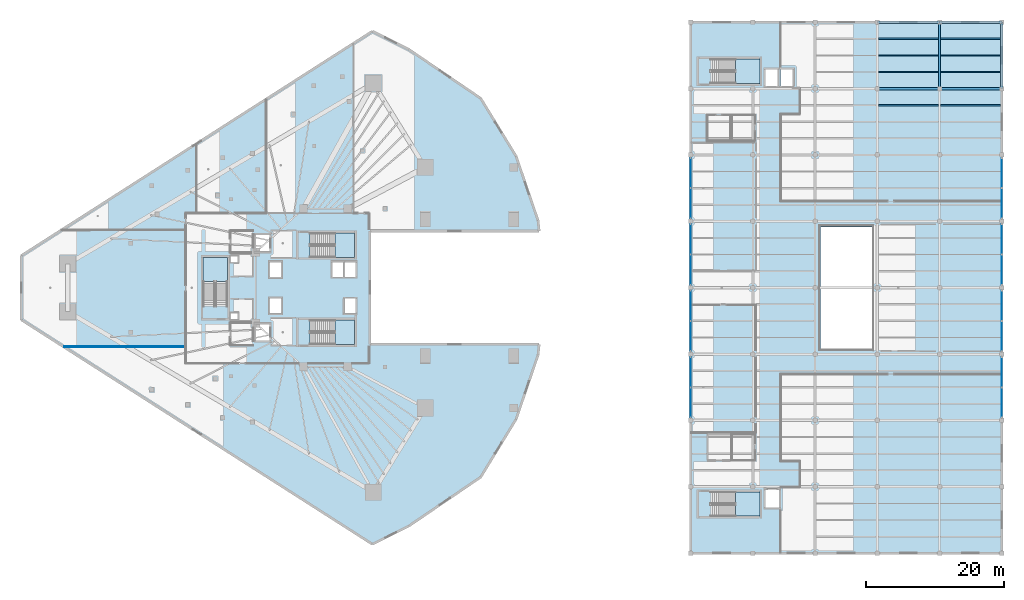
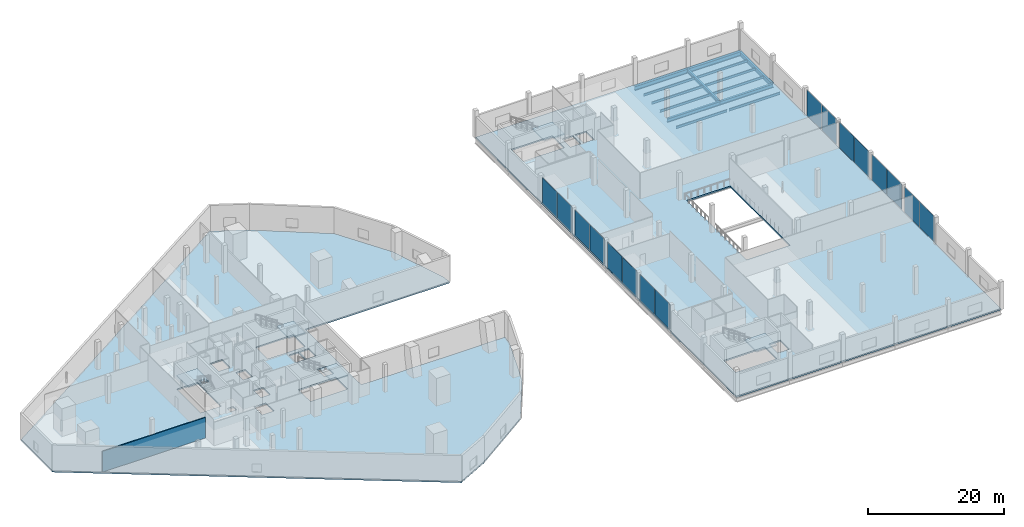
# One storey, part 25 of 46: 16 plates, 14 beams, 7 slabs, 1 wall, 13 elements without a shape of their own.
"""IFC4 building model written with IfcOpenShell, lengths in metres."""

from ifc_helpers import new_model, si_unit, direction, frame, frame_2d, origin, origin_2d, place, context, subcontext, project, spatial, polyline, rectangle, i_section, outline, extrude, material, layer, layer_set, material_profile, profile_set, type_object, element, aggregate, save


model = new_model("IFC4")

# Units and contexts
model_context = context("Model", 3, precision=1e-05, world=origin(), true_north=direction((0.0, 1.0)))
body_context = subcontext(model_context, "Body", "Model", "MODEL_VIEW")
ifc_project = project(units=[si_unit("LENGTHUNIT", "METRE"), si_unit("AREAUNIT", "SQUARE_METRE"), si_unit("VOLUMEUNIT", "CUBIC_METRE"), si_unit("PLANEANGLEUNIT", "RADIAN"), si_unit("MASSUNIT", "GRAM", prefix="KILO")], contexts=[model_context])

# Site, building, storey
site_placement = place(None, origin())
site = spatial("IfcSite", under=ifc_project, at=site_placement, CompositionType="ELEMENT")
building_placement = place(site_placement, origin())
building = spatial("IfcBuilding", under=site, at=building_placement, Name="Qorvath Tower", CompositionType="ELEMENT")
storey_placement = place(building_placement, frame((0.0, 0.0, 17.0)))
storey = spatial("IfcBuildingStorey", under=building, at=storey_placement, Name="L03", CompositionType="ELEMENT", Elevation=17.0)

# Beams
ifc_material_1 = material(Name="Steel ASTM A992 Grade 50", Category="steel")
ifc_material_profile_1 = material_profile(ifc_material_1, i_section(OverallWidth=0.381103515625, OverallDepth=0.77294921875, WebThickness=0.0166015625, FlangeThickness=0.027099609375, FilletRadius=0.01904296875, at=origin_2d()), Name="W30x173")
ifc_profile_set_1 = profile_set([ifc_material_profile_1], Name="Steel ASTM A992 Grade 50")
beam_type_1 = type_object("IfcBeamType", Name="BM-FG3", PredefinedType="BEAM", material=ifc_profile_set_1)
for number, where, z_axis, x_axis, name in (
    (1, (59.39990234375, 38.39990234375, -0.646484375), (1.0, 0.0, 0.0), (0.0, 1.0, 0.0), "Library E-W Girder L03-9-4"),
    (2, (68.39990234375, 38.39990234375, -0.646484375), (1.0, 0.0, 0.0), (0.0, 1.0, 0.0), "Library E-W Girder L03-9-5"),
):
    element("IfcBeam", number, at=place(storey_placement, frame(where, z_axis=z_axis, x_axis=x_axis)), inside=storey, type_object=beam_type_1, Name=name, PredefinedType="BEAM", context=body_context, shape_type="SweptSolid", body=[
        extrude(i_section(OverallWidth=0.381103515625, OverallDepth=0.77294921875, WebThickness=0.0166015625, FlangeThickness=0.027099609375, FilletRadius=0.01904296875, at=origin_2d()), origin(), (0.0, 0.0, 1.0), 9.0),
    ])
beam_1_placement = place(storey_placement, frame((77.39990234375, 28.800048828125, -0.646484375), z_axis=(0.0, 1.0, 0.0), x_axis=(-1.0, 0.0, 0.0)))
element("IfcBeam", 3, at=beam_1_placement, inside=storey, type_object=beam_type_1, Name="Library N-S Girder L03-6-8", PredefinedType="BEAM", context=body_context, shape_type="SweptSolid", body=[
    extrude(i_section(OverallWidth=0.381103515625, OverallDepth=0.77294921875, WebThickness=0.0166015625, FlangeThickness=0.027099609375, FilletRadius=0.01904296875, at=origin_2d()), origin(), (0.0, 0.0, 1.0), 9.599853515625),
])
ifc_material_2 = material(Name="Steel ASTM A992 Grade 50", Category="steel")
ifc_material_profile_2 = material_profile(ifc_material_2, i_section(OverallWidth=0.35595703125, OverallDepth=0.696044921875, WebThickness=0.015380859375, FlangeThickness=0.02490234375, FilletRadius=0.01806640625, at=origin_2d()), Name="W27x146")
ifc_profile_set_2 = profile_set([ifc_material_profile_2], Name="Steel ASTM A992 Grade 50")
beam_type_2 = type_object("IfcBeamType", Name="BM-FG4", PredefinedType="BEAM", material=ifc_profile_set_2)
for number, where, z_axis, x_axis, name in (
    (4, (59.39990234375, 28.800048828125, -0.60791015625), (1.0, 0.0, 0.0), (0.0, 1.0, 0.0), "Library E-W Girder L03-8-4"),
    (5, (68.39990234375, 28.800048828125, -0.60791015625), (1.0, 0.0, 0.0), (0.0, 1.0, 0.0), "Library E-W Girder L03-8-5"),
):
    element("IfcBeam", number, at=place(storey_placement, frame(where, z_axis=z_axis, x_axis=x_axis)), inside=storey, type_object=beam_type_2, Name=name, PredefinedType="BEAM", context=body_context, shape_type="SweptSolid", body=[
        extrude(i_section(OverallWidth=0.35595703125, OverallDepth=0.696044921875, WebThickness=0.015380859375, FlangeThickness=0.02490234375, FilletRadius=0.01806640625, at=origin_2d()), origin(), (0.0, 0.0, 1.0), 9.0),
    ])
ifc_material_3 = material(Name="Steel ASTM A992 Grade 50", Category="steel")
ifc_material_profile_3 = material_profile(ifc_material_3, i_section(OverallWidth=0.324951171875, OverallDepth=0.615966796875, WebThickness=0.013916015625, FlangeThickness=0.021484375, FilletRadius=0.01611328125, at=origin_2d()), Name="W24x117")
ifc_profile_set_3 = profile_set([ifc_material_profile_3], Name="Steel ASTM A992 Grade 50")
beam_type_3 = type_object("IfcBeamType", Name="BM-FG5", PredefinedType="BEAM", material=ifc_profile_set_3)
beam_2_placement = place(storey_placement, frame((68.39990234375, 28.800048828125, -0.568115234375), z_axis=(0.0, 1.0, 0.0), x_axis=(-1.0, 0.0, 0.0)))
element("IfcBeam", 6, at=beam_2_placement, inside=storey, type_object=beam_type_3, Name="Library N-S Girder L03-5-8", PredefinedType="BEAM", context=body_context, shape_type="SweptSolid", body=[
    extrude(i_section(OverallWidth=0.324951171875, OverallDepth=0.615966796875, WebThickness=0.013916015625, FlangeThickness=0.021484375, FilletRadius=0.01611328125, at=origin_2d()), origin(), (0.0, 0.0, 1.0), 9.599853515625),
])
ifc_material_4 = material(Name="Steel ASTM A992 Grade 50", Category="steel")
ifc_material_profile_4 = material_profile(ifc_material_4, i_section(OverallWidth=0.18994140625, OverallDepth=0.45703125, WebThickness=0.009033203125, FlangeThickness=0.014404296875, FilletRadius=0.011962890625, at=origin_2d()), Name="W18x50")
ifc_profile_set_4 = profile_set([ifc_material_profile_4], Name="Steel ASTM A992 Grade 50")
beam_type_4 = type_object("IfcBeamType", Name="BM-FJ2", PredefinedType="JOIST", material=ifc_profile_set_4)
beam_3_placement = place(storey_placement, frame((59.560546875, 26.39990234375, -0.488525390625), z_axis=(1.0, 0.0, 0.0), x_axis=(0.0, 1.0, 0.0)))
element("IfcBeam", 7, at=beam_3_placement, inside=storey, type_object=beam_type_4, Name="Library Stack Joist L03-7.3-4", PredefinedType="JOIST", context=body_context, shape_type="SweptSolid", body=[
    extrude(i_section(OverallWidth=0.18994140625, OverallDepth=0.45703125, WebThickness=0.009033203125, FlangeThickness=0.014404296875, FilletRadius=0.011962890625, at=origin_2d()), origin(), (0.0, 0.0, 1.0), 8.678955078125),
])
beam_4_placement = place(storey_placement, frame((68.560546875, 26.39990234375, -0.488525390625), z_axis=(1.0, 0.0, 0.0), x_axis=(0.0, 1.0, 0.0)))
element("IfcBeam", 8, at=beam_4_placement, inside=storey, type_object=beam_type_4, Name="Library Stack Joist L03-7.3-5", PredefinedType="JOIST", context=body_context, shape_type="SweptSolid", body=[
    extrude(i_section(OverallWidth=0.18994140625, OverallDepth=0.45703125, WebThickness=0.009033203125, FlangeThickness=0.014404296875, FilletRadius=0.011962890625, at=origin_2d()), origin(), (0.0, 0.0, 1.0), 8.65087890625),
])
beam_5_placement = place(storey_placement, frame((59.560546875, 31.199951171875, -0.488525390625), z_axis=(1.0, 0.0, 0.0), x_axis=(0.0, 1.0, 0.0)))
element("IfcBeam", 9, at=beam_5_placement, inside=storey, type_object=beam_type_4, Name="Library Stack Joist L03-8.1-4", PredefinedType="JOIST", context=body_context, shape_type="SweptSolid", body=[
    extrude(i_section(OverallWidth=0.18994140625, OverallDepth=0.45703125, WebThickness=0.009033203125, FlangeThickness=0.014404296875, FilletRadius=0.011962890625, at=origin_2d()), origin(), (0.0, 0.0, 1.0), 8.678955078125),
])
beam_6_placement = place(storey_placement, frame((68.560546875, 31.199951171875, -0.488525390625), z_axis=(1.0, 0.0, 0.0), x_axis=(0.0, 1.0, 0.0)))
element("IfcBeam", 10, at=beam_6_placement, inside=storey, type_object=beam_type_4, Name="Library Stack Joist L03-8.1-5", PredefinedType="JOIST", context=body_context, shape_type="SweptSolid", body=[
    extrude(i_section(OverallWidth=0.18994140625, OverallDepth=0.45703125, WebThickness=0.009033203125, FlangeThickness=0.014404296875, FilletRadius=0.011962890625, at=origin_2d()), origin(), (0.0, 0.0, 1.0), 8.65087890625),
])
beam_7_placement = place(storey_placement, frame((59.560546875, 33.60009765625, -0.488525390625), z_axis=(1.0, 0.0, 0.0), x_axis=(0.0, 1.0, 0.0)))
element("IfcBeam", 11, at=beam_7_placement, inside=storey, type_object=beam_type_4, Name="Library Stack Joist L03-8.2-4", PredefinedType="JOIST", context=body_context, shape_type="SweptSolid", body=[
    extrude(i_section(OverallWidth=0.18994140625, OverallDepth=0.45703125, WebThickness=0.009033203125, FlangeThickness=0.014404296875, FilletRadius=0.011962890625, at=origin_2d()), origin(), (0.0, 0.0, 1.0), 8.678955078125),
])
beam_8_placement = place(storey_placement, frame((68.560546875, 33.60009765625, -0.488525390625), z_axis=(1.0, 0.0, 0.0), x_axis=(0.0, 1.0, 0.0)))
element("IfcBeam", 12, at=beam_8_placement, inside=storey, type_object=beam_type_4, Name="Library Stack Joist L03-8.2-5", PredefinedType="JOIST", context=body_context, shape_type="SweptSolid", body=[
    extrude(i_section(OverallWidth=0.18994140625, OverallDepth=0.45703125, WebThickness=0.009033203125, FlangeThickness=0.014404296875, FilletRadius=0.011962890625, at=origin_2d()), origin(), (0.0, 0.0, 1.0), 8.65087890625),
])
beam_9_placement = place(storey_placement, frame((59.560546875, 36.0, -0.488525390625), z_axis=(1.0, 0.0, 0.0), x_axis=(0.0, 1.0, 0.0)))
element("IfcBeam", 13, at=beam_9_placement, inside=storey, type_object=beam_type_4, Name="Library Stack Joist L03-8.3-4", PredefinedType="JOIST", context=body_context, shape_type="SweptSolid", body=[
    extrude(i_section(OverallWidth=0.18994140625, OverallDepth=0.45703125, WebThickness=0.009033203125, FlangeThickness=0.014404296875, FilletRadius=0.011962890625, at=origin_2d()), origin(), (0.0, 0.0, 1.0), 8.678955078125),
])
beam_10_placement = place(storey_placement, frame((68.560546875, 36.0, -0.488525390625), z_axis=(1.0, 0.0, 0.0), x_axis=(0.0, 1.0, 0.0)))
element("IfcBeam", 14, at=beam_10_placement, inside=storey, type_object=beam_type_4, Name="Library Stack Joist L03-8.3-5", PredefinedType="JOIST", context=body_context, shape_type="SweptSolid", body=[
    extrude(i_section(OverallWidth=0.18994140625, OverallDepth=0.45703125, WebThickness=0.009033203125, FlangeThickness=0.014404296875, FilletRadius=0.011962890625, at=origin_2d()), origin(), (0.0, 0.0, 1.0), 8.65087890625),
])

# Curtain wall, plates
ifc_material_5 = material(Name="Anodised aluminium and triple low-E glass", Category="aluminium")
ifc_layer_1 = layer(ifc_material_5, 0.179931640625)
ifc_layer_set_1 = layer_set([ifc_layer_1], Name="CW-SYS-6")
curtain_wall_type = type_object("IfcCurtainWallType", Name="CW-SYS-6", PredefinedType="NOTDEFINED", material=ifc_layer_set_1)
curtain_wall_1_placement = place(storey_placement, origin())
curtain_wall_1 = element("IfcCurtainWall", 15, at=curtain_wall_1_placement, inside=storey, type_object=curtain_wall_type, Name="Curtain Wall CW-6 CW-LIB-W-L03-3", PredefinedType="NOTDEFINED")
ifc_material_6 = material(Name="Low-E triple insulated glass", Category="glass")
ifc_layer_2 = layer(ifc_material_6, 0.031982421875)
ifc_layer_set_2 = layer_set([ifc_layer_2], Name="CWP-GLZ-32")
plate_type = type_object("IfcPlateType", Name="CWP-GLZ-32", PredefinedType="CURTAIN_PANEL", material=ifc_layer_set_2)
plate_1_placement = place(storey_placement, frame((32.39990234375, -16.594970703125, 0.06494140625), z_axis=(0.0, 0.0, 1.0), x_axis=(0.0, 1.0, 0.0)))
plate_1 = element("IfcPlate", 16, at=plate_1_placement, type_object=plate_type, Name="CW-6 panel 1.1", PredefinedType="CURTAIN_PANEL", context=body_context, shape_type="SweptSolid", body=[
    extrude(rectangle(XDim=4.31005859375, YDim=0.031982421875, at=origin_2d()), origin(), (0.0, 0.0, 1.0), 4.610107421875),
])
plate_2_placement = place(storey_placement, frame((32.39990234375, -12.205078125, 0.06494140625), z_axis=(0.0, 0.0, 1.0), x_axis=(0.0, 1.0, 0.0)))
plate_2 = element("IfcPlate", 17, at=plate_2_placement, type_object=plate_type, Name="CW-6 panel 2.1", PredefinedType="CURTAIN_PANEL", context=body_context, shape_type="SweptSolid", body=[
    extrude(rectangle(XDim=4.31005859375, YDim=0.031982421875, at=origin_2d()), origin(), (0.0, 0.0, 1.0), 4.610107421875),
])
aggregate(curtain_wall_1, [plate_1, plate_2])

curtain_wall_2_placement = place(storey_placement, origin())
curtain_wall_2 = element("IfcCurtainWall", 18, at=curtain_wall_2_placement, inside=storey, type_object=curtain_wall_type, Name="Curtain Wall CW-6 CW-LIB-W-L03-4", PredefinedType="NOTDEFINED")
plate_3_placement = place(storey_placement, frame((32.39990234375, -6.9951171875, 0.06494140625), z_axis=(0.0, 0.0, 1.0), x_axis=(0.0, 1.0, 0.0)))
plate_3 = element("IfcPlate", 19, at=plate_3_placement, type_object=plate_type, Name="CW-6 panel 1.1", PredefinedType="CURTAIN_PANEL", context=body_context, shape_type="SweptSolid", body=[
    extrude(rectangle(XDim=4.31005859375, YDim=0.031982421875, at=origin_2d()), origin(), (0.0, 0.0, 1.0), 4.610107421875),
])
plate_4_placement = place(storey_placement, frame((32.39990234375, -2.60498046875, 0.06494140625), z_axis=(0.0, 0.0, 1.0), x_axis=(0.0, 1.0, 0.0)))
plate_4 = element("IfcPlate", 20, at=plate_4_placement, type_object=plate_type, Name="CW-6 panel 2.1", PredefinedType="CURTAIN_PANEL", context=body_context, shape_type="SweptSolid", body=[
    extrude(rectangle(XDim=4.31005859375, YDim=0.031982421875, at=origin_2d()), origin(), (0.0, 0.0, 1.0), 4.610107421875),
])
aggregate(curtain_wall_2, [plate_3, plate_4])

curtain_wall_3_placement = place(storey_placement, origin())
curtain_wall_3 = element("IfcCurtainWall", 21, at=curtain_wall_3_placement, inside=storey, type_object=curtain_wall_type, Name="Curtain Wall CW-6 CW-LIB-W-L03-5", PredefinedType="NOTDEFINED")
plate_5_placement = place(storey_placement, frame((32.39990234375, 2.60498046875, 0.06494140625), z_axis=(0.0, 0.0, 1.0), x_axis=(0.0, 1.0, 0.0)))
plate_5 = element("IfcPlate", 22, at=plate_5_placement, type_object=plate_type, Name="CW-6 panel 1.1", PredefinedType="CURTAIN_PANEL", context=body_context, shape_type="SweptSolid", body=[
    extrude(rectangle(XDim=4.31005859375, YDim=0.031982421875, at=origin_2d()), origin(), (0.0, 0.0, 1.0), 4.610107421875),
])
plate_6_placement = place(storey_placement, frame((32.39990234375, 6.9951171875, 0.06494140625), z_axis=(0.0, 0.0, 1.0), x_axis=(0.0, 1.0, 0.0)))
plate_6 = element("IfcPlate", 23, at=plate_6_placement, type_object=plate_type, Name="CW-6 panel 2.1", PredefinedType="CURTAIN_PANEL", context=body_context, shape_type="SweptSolid", body=[
    extrude(rectangle(XDim=4.31005859375, YDim=0.031982421875, at=origin_2d()), origin(), (0.0, 0.0, 1.0), 4.610107421875),
])
aggregate(curtain_wall_3, [plate_5, plate_6])

curtain_wall_4_placement = place(storey_placement, origin())
curtain_wall_4 = element("IfcCurtainWall", 24, at=curtain_wall_4_placement, inside=storey, type_object=curtain_wall_type, Name="Curtain Wall CW-6 CW-LIB-W-L03-6", PredefinedType="NOTDEFINED")
plate_7_placement = place(storey_placement, frame((32.39990234375, 12.205078125, 0.06494140625), z_axis=(0.0, 0.0, 1.0), x_axis=(0.0, 1.0, 0.0)))
plate_7 = element("IfcPlate", 25, at=plate_7_placement, type_object=plate_type, Name="CW-6 panel 1.1", PredefinedType="CURTAIN_PANEL", context=body_context, shape_type="SweptSolid", body=[
    extrude(rectangle(XDim=4.31005859375, YDim=0.031982421875, at=origin_2d()), origin(), (0.0, 0.0, 1.0), 4.610107421875),
])
plate_8_placement = place(storey_placement, frame((32.39990234375, 16.594970703125, 0.06494140625), z_axis=(0.0, 0.0, 1.0), x_axis=(0.0, 1.0, 0.0)))
plate_8 = element("IfcPlate", 26, at=plate_8_placement, type_object=plate_type, Name="CW-6 panel 2.1", PredefinedType="CURTAIN_PANEL", context=body_context, shape_type="SweptSolid", body=[
    extrude(rectangle(XDim=4.31005859375, YDim=0.031982421875, at=origin_2d()), origin(), (0.0, 0.0, 1.0), 4.610107421875),
])
aggregate(curtain_wall_4, [plate_7, plate_8])

curtain_wall_5_placement = place(storey_placement, origin())
curtain_wall_5 = element("IfcCurtainWall", 27, at=curtain_wall_5_placement, inside=storey, type_object=curtain_wall_type, Name="Curtain Wall CW-6 CW-LIB-E-L03-3", PredefinedType="NOTDEFINED")
plate_9_placement = place(storey_placement, frame((77.39990234375, -16.594970703125, 0.06494140625), z_axis=(0.0, 0.0, 1.0), x_axis=(0.0, 1.0, 0.0)))
plate_9 = element("IfcPlate", 28, at=plate_9_placement, type_object=plate_type, Name="CW-6 panel 1.1", PredefinedType="CURTAIN_PANEL", context=body_context, shape_type="SweptSolid", body=[
    extrude(rectangle(XDim=4.31005859375, YDim=0.031982421875, at=origin_2d()), origin(), (0.0, 0.0, 1.0), 4.610107421875),
])
plate_10_placement = place(storey_placement, frame((77.39990234375, -12.205078125, 0.06494140625), z_axis=(0.0, 0.0, 1.0), x_axis=(0.0, 1.0, 0.0)))
plate_10 = element("IfcPlate", 29, at=plate_10_placement, type_object=plate_type, Name="CW-6 panel 2.1", PredefinedType="CURTAIN_PANEL", context=body_context, shape_type="SweptSolid", body=[
    extrude(rectangle(XDim=4.31005859375, YDim=0.031982421875, at=origin_2d()), origin(), (0.0, 0.0, 1.0), 4.610107421875),
])
aggregate(curtain_wall_5, [plate_9, plate_10])

curtain_wall_6_placement = place(storey_placement, origin())
curtain_wall_6 = element("IfcCurtainWall", 30, at=curtain_wall_6_placement, inside=storey, type_object=curtain_wall_type, Name="Curtain Wall CW-6 CW-LIB-E-L03-4", PredefinedType="NOTDEFINED")
plate_11_placement = place(storey_placement, frame((77.39990234375, -6.9951171875, 0.06494140625), z_axis=(0.0, 0.0, 1.0), x_axis=(0.0, 1.0, 0.0)))
plate_11 = element("IfcPlate", 31, at=plate_11_placement, type_object=plate_type, Name="CW-6 panel 1.1", PredefinedType="CURTAIN_PANEL", context=body_context, shape_type="SweptSolid", body=[
    extrude(rectangle(XDim=4.31005859375, YDim=0.031982421875, at=origin_2d()), origin(), (0.0, 0.0, 1.0), 4.610107421875),
])
plate_12_placement = place(storey_placement, frame((77.39990234375, -2.60498046875, 0.06494140625), z_axis=(0.0, 0.0, 1.0), x_axis=(0.0, 1.0, 0.0)))
plate_12 = element("IfcPlate", 32, at=plate_12_placement, type_object=plate_type, Name="CW-6 panel 2.1", PredefinedType="CURTAIN_PANEL", context=body_context, shape_type="SweptSolid", body=[
    extrude(rectangle(XDim=4.31005859375, YDim=0.031982421875, at=origin_2d()), origin(), (0.0, 0.0, 1.0), 4.610107421875),
])
aggregate(curtain_wall_6, [plate_11, plate_12])

curtain_wall_7_placement = place(storey_placement, origin())
curtain_wall_7 = element("IfcCurtainWall", 33, at=curtain_wall_7_placement, inside=storey, type_object=curtain_wall_type, Name="Curtain Wall CW-6 CW-LIB-E-L03-5", PredefinedType="NOTDEFINED")
plate_13_placement = place(storey_placement, frame((77.39990234375, 2.60498046875, 0.06494140625), z_axis=(0.0, 0.0, 1.0), x_axis=(0.0, 1.0, 0.0)))
plate_13 = element("IfcPlate", 34, at=plate_13_placement, type_object=plate_type, Name="CW-6 panel 1.1", PredefinedType="CURTAIN_PANEL", context=body_context, shape_type="SweptSolid", body=[
    extrude(rectangle(XDim=4.31005859375, YDim=0.031982421875, at=origin_2d()), origin(), (0.0, 0.0, 1.0), 4.610107421875),
])
plate_14_placement = place(storey_placement, frame((77.39990234375, 6.9951171875, 0.06494140625), z_axis=(0.0, 0.0, 1.0), x_axis=(0.0, 1.0, 0.0)))
plate_14 = element("IfcPlate", 35, at=plate_14_placement, type_object=plate_type, Name="CW-6 panel 2.1", PredefinedType="CURTAIN_PANEL", context=body_context, shape_type="SweptSolid", body=[
    extrude(rectangle(XDim=4.31005859375, YDim=0.031982421875, at=origin_2d()), origin(), (0.0, 0.0, 1.0), 4.610107421875),
])
aggregate(curtain_wall_7, [plate_13, plate_14])

curtain_wall_8_placement = place(storey_placement, origin())
curtain_wall_8 = element("IfcCurtainWall", 36, at=curtain_wall_8_placement, inside=storey, type_object=curtain_wall_type, Name="Curtain Wall CW-6 CW-LIB-E-L03-6", PredefinedType="NOTDEFINED")
plate_15_placement = place(storey_placement, frame((77.39990234375, 12.205078125, 0.06494140625), z_axis=(0.0, 0.0, 1.0), x_axis=(0.0, 1.0, 0.0)))
plate_15 = element("IfcPlate", 37, at=plate_15_placement, type_object=plate_type, Name="CW-6 panel 1.1", PredefinedType="CURTAIN_PANEL", context=body_context, shape_type="SweptSolid", body=[
    extrude(rectangle(XDim=4.31005859375, YDim=0.031982421875, at=origin_2d()), origin(), (0.0, 0.0, 1.0), 4.610107421875),
])
plate_16_placement = place(storey_placement, frame((77.39990234375, 16.594970703125, 0.06494140625), z_axis=(0.0, 0.0, 1.0), x_axis=(0.0, 1.0, 0.0)))
plate_16 = element("IfcPlate", 38, at=plate_16_placement, type_object=plate_type, Name="CW-6 panel 2.1", PredefinedType="CURTAIN_PANEL", context=body_context, shape_type="SweptSolid", body=[
    extrude(rectangle(XDim=4.31005859375, YDim=0.031982421875, at=origin_2d()), origin(), (0.0, 0.0, 1.0), 4.610107421875),
])
aggregate(curtain_wall_8, [plate_15, plate_16])

# Slab
ifc_material_7 = material(Name="Concrete C45/55", Category="concrete")
ifc_layer_3 = layer(ifc_material_7, 0.260009765625)
ifc_layer_set_3 = layer_set([ifc_layer_3], Name="SL-LIB-STK-260")
slab_type_1 = type_object("IfcSlabType", Name="SL-LIB-STK-260", PredefinedType="FLOOR", material=ifc_layer_set_3)
slab_1_placement = place(storey_placement, frame((0.0, 0.0, -0.260009765625)))
element("IfcSlab", 39, at=slab_1_placement, inside=storey, type_object=slab_type_1, Name="Central Library L03 Floor Slab", PredefinedType="FLOOR", context=body_context, shape_type="SweptSolid", body=[
    extrude(outline(polyline([(77.39990234375, -38.39990234375), (77.39990234375, 38.39990234375), (32.39990234375, 38.39990234375), (32.39990234375, -38.39990234375), (77.39990234375, -38.39990234375)]), holes=[polyline([(58.60009765625, -8.800048828125), (51.199951171875, -8.800048828125), (51.199951171875, 8.800048828125), (58.60009765625, 8.800048828125), (58.60009765625, -8.800048828125)]), polyline([(47.199951171875, 29.199951171875), (45.39990234375, 29.199951171875), (45.39990234375, 31.60009765625), (47.199951171875, 31.60009765625), (47.199951171875, 29.199951171875)]), polyline([(45.199951171875, -31.800048828125), (43.199951171875, -31.800048828125), (43.199951171875, -29.199951171875), (45.199951171875, -29.199951171875), (45.199951171875, -31.800048828125)]), polyline([(45.0, 31.60009765625), (45.0, 29.199951171875), (43.199951171875, 29.199951171875), (43.199951171875, 31.60009765625), (45.0, 31.60009765625)]), polyline([(42.35498046875, -29.5400390625), (42.35498046875, -33.050048828125), (35.324951171875, -33.050048828125), (35.324951171875, -29.5400390625), (42.35498046875, -29.5400390625)]), polyline([(42.35498046875, 29.550048828125), (35.324951171875, 29.550048828125), (35.324951171875, 33.06005859375), (42.35498046875, 33.06005859375), (42.35498046875, 29.550048828125)])]), origin(), (0.0, 0.0, 1.0), 0.260009765625),
])

# Stair, slab
ifc_material_8 = material(Name="Concrete C50/60", Category="concrete")
stair_type = type_object("IfcStairType", Name="ST-H500", PredefinedType="HALF_TURN_STAIR", material=ifc_material_8)
stair_1_placement = place(storey_placement, origin())
stair_1 = element("IfcStair", 40, at=stair_1_placement, inside=storey, type_object=stair_type, Name="L03 Library Exit Stair 1", PredefinedType="HALF_TURN_STAIR")
ifc_material_9 = material(Name="Concrete C50/60", Category="concrete")
ifc_layer_4 = layer(ifc_material_9, 0.199951171875)
ifc_layer_set_4 = layer_set([ifc_layer_4], Name="SL-LND-200")
slab_type_2 = type_object("IfcSlabType", Name="SL-LND-200", PredefinedType="LANDING", material=ifc_layer_set_4)
slab_2_placement = place(storey_placement, frame((0.0, 0.0, 2.300048828125)))
slab_2 = element("IfcSlab", 41, at=slab_2_placement, type_object=slab_type_2, Name="LS1 landing 1", PredefinedType="LANDING", context=body_context, shape_type="SweptSolid", body=[
    extrude(outline(polyline([(38.919921875, 29.550048828125), (42.39990234375, 29.550048828125), (42.39990234375, 33.06005859375), (38.919921875, 33.06005859375), (38.919921875, 29.550048828125)])), origin(), (0.0, 0.0, 1.0), 0.199951171875),
])
aggregate(stair_1, [slab_2])

stair_2_placement = place(storey_placement, origin())
stair_2 = element("IfcStair", 42, at=stair_2_placement, inside=storey, type_object=stair_type, Name="L03 Library Exit Stair 2", PredefinedType="HALF_TURN_STAIR")
slab_3_placement = place(storey_placement, frame((0.0, 0.0, 2.300048828125)))
slab_3 = element("IfcSlab", 43, at=slab_3_placement, type_object=slab_type_2, Name="LS2 landing 1", PredefinedType="LANDING", context=body_context, shape_type="SweptSolid", body=[
    extrude(outline(polyline([(38.919921875, -33.050048828125), (42.39990234375, -33.050048828125), (42.39990234375, -29.5400390625), (38.919921875, -29.5400390625), (38.919921875, -33.050048828125)])), origin(), (0.0, 0.0, 1.0), 0.199951171875),
])
aggregate(stair_2, [slab_3])

stair_3_placement = place(storey_placement, origin())
stair_3 = element("IfcStair", 44, at=stair_3_placement, inside=storey, type_object=stair_type, Name="L03 Tower Exit Stair 1", PredefinedType="HALF_TURN_STAIR")
slab_4_placement = place(storey_placement, frame((0.0, 0.0, 2.300048828125)))
slab_4 = element("IfcSlab", 45, at=slab_4_placement, type_object=slab_type_2, Name="TS1 landing 1", PredefinedType="LANDING", context=body_context, shape_type="SweptSolid", body=[
    extrude(outline(polyline([(-19.030029296875, 4.39990234375), (-16.199951171875, 4.39990234375), (-16.199951171875, 7.909912109375), (-19.030029296875, 7.909912109375), (-19.030029296875, 4.39990234375)])), origin(), (0.0, 0.0, 1.0), 0.199951171875),
])
aggregate(stair_3, [slab_4])

stair_4_placement = place(storey_placement, origin())
stair_4 = element("IfcStair", 46, at=stair_4_placement, inside=storey, type_object=stair_type, Name="L03 Tower Exit Stair 2", PredefinedType="HALF_TURN_STAIR")
slab_5_placement = place(storey_placement, frame((0.0, 0.0, 2.300048828125)))
slab_5 = element("IfcSlab", 47, at=slab_5_placement, type_object=slab_type_2, Name="TS2 landing 1", PredefinedType="LANDING", context=body_context, shape_type="SweptSolid", body=[
    extrude(outline(polyline([(-19.030029296875, -8.199951171875), (-16.199951171875, -8.199951171875), (-16.199951171875, -4.68994140625), (-19.030029296875, -4.68994140625), (-19.030029296875, -8.199951171875)])), origin(), (0.0, 0.0, 1.0), 0.199951171875),
])
aggregate(stair_4, [slab_5])

stair_5_placement = place(storey_placement, origin())
stair_5 = element("IfcStair", 48, at=stair_5_placement, inside=storey, type_object=stair_type, Name="L03 Tower Exit Stair 3", PredefinedType="HALF_TURN_STAIR")
slab_6_placement = place(storey_placement, frame((0.0, 0.0, 2.300048828125)))
slab_6 = element("IfcSlab", 49, at=slab_6_placement, type_object=slab_type_2, Name="TS3 landing 1", PredefinedType="LANDING", context=body_context, shape_type="SweptSolid", body=[
    extrude(outline(polyline([(-34.60009765625, 0.919921875), (-34.60009765625, 4.39990234375), (-38.110107421875, 4.39990234375), (-38.110107421875, 0.919921875), (-34.60009765625, 0.919921875)])), origin(), (0.0, 0.0, 1.0), 0.199951171875),
])
aggregate(stair_5, [slab_6])

# Slab
ifc_material_10 = material(Name="Concrete C45/55", Category="concrete")
ifc_layer_5 = layer(ifc_material_10, 0.260009765625)
ifc_layer_set_5 = layer_set([ifc_layer_5], Name="SL-POD-260")
slab_type_3 = type_object("IfcSlabType", Name="SL-POD-260", PredefinedType="FLOOR", material=ifc_layer_set_5)
slab_7_placement = place(storey_placement, frame((0.0, 0.0, -0.260009765625)))
element("IfcSlab", 50, at=slab_7_placement, inside=storey, type_object=slab_type_3, Name="Tower L03 Floor Slab", PredefinedType="FLOOR", context=body_context, shape_type="SweptSolid", body=[
    extrude(outline(polyline([(10.3125, -9.748779296875), (10.483154296875, -8.199951171875), (-14.0, -8.199951171875), (-14.0, 8.199951171875), (10.483154296875, 8.199951171875), (10.3125, 9.748779296875), (7.139404296875, 19.029052734375), (2.0205078125, 27.39501953125), (-8.3359375, 34.44482421875), (-13.63525390625, 37.094482421875), (-64.419189453125, 4.63671875), (-64.419189453125, -4.63671875), (-13.63525390625, -37.094482421875), (-8.3359375, -34.44482421875), (2.0205078125, -27.39501953125), (7.139404296875, -19.029052734375), (10.3125, -9.748779296875)]), holes=[polyline([(-17.64990234375, -3.699951171875), (-17.64990234375, -1.550048828125), (-16.050048828125, -1.550048828125), (-16.050048828125, -3.699951171875), (-17.64990234375, -3.699951171875)]), polyline([(-17.64990234375, 1.550048828125), (-17.64990234375, 3.699951171875), (-16.050048828125, 3.699951171875), (-16.050048828125, 1.550048828125), (-17.64990234375, 1.550048828125)]), polyline([(-16.2451171875, -8.199951171875), (-22.625, -8.199951171875), (-22.625, -4.68994140625), (-16.2451171875, -4.68994140625), (-16.2451171875, -8.199951171875)]), polyline([(-22.625, 4.39990234375), (-22.625, 7.909912109375), (-16.2451171875, 7.909912109375), (-16.2451171875, 4.39990234375), (-22.625, 4.39990234375)]), polyline([(-17.85009765625, 1.550048828125), (-19.449951171875, 1.550048828125), (-19.449951171875, 3.699951171875), (-17.85009765625, 3.699951171875), (-17.85009765625, 1.550048828125)]), polyline([(-28.449951171875, -3.699951171875), (-28.449951171875, -1.550048828125), (-26.85009765625, -1.550048828125), (-26.85009765625, -3.699951171875), (-28.449951171875, -3.699951171875)]), polyline([(-26.85009765625, 1.550048828125), (-28.449951171875, 1.550048828125), (-28.449951171875, 3.699951171875), (-26.85009765625, 3.699951171875), (-26.85009765625, 1.550048828125)]), polyline([(-28.5, -7.64990234375), (-30.5, -7.64990234375), (-30.5, -5.25), (-28.5, -5.25), (-28.5, -7.64990234375)]), polyline([(-30.5, 5.25), (-30.5, 7.64990234375), (-28.5, 7.64990234375), (-28.5, 5.25), (-30.5, 5.25)]), polyline([(-34.14990234375, -4.6201171875), (-34.14990234375, -3.64990234375), (-33.10009765625, -3.64990234375), (-33.10009765625, -4.6201171875), (-34.14990234375, -4.6201171875)]), polyline([(-34.14990234375, 3.64990234375), (-34.14990234375, 4.6201171875), (-33.10009765625, 4.6201171875), (-33.10009765625, 3.64990234375), (-34.14990234375, 3.64990234375)]), polyline([(-34.60009765625, -2.675048828125), (-38.110107421875, -2.675048828125), (-38.110107421875, 4.35498046875), (-34.60009765625, 4.35498046875), (-34.60009765625, -2.675048828125)])]), origin(), (0.0, 0.0, 1.0), 0.260009765625),
])

# Wall
ifc_material_11 = material(Name="Gypsum board on metal studs with mineral wool", Category="gypsum")
ifc_layer_6 = layer(ifc_material_11, 0.125)
ifc_layer_set_6 = layer_set([ifc_layer_6], Name="IW-PART-125")
wall_type = type_object("IfcWallType", Name="IW-PART-125", PredefinedType="PARTITIONING", material=ifc_layer_set_6)
wall_placement = place(storey_placement, frame((-40.68310546875, -8.550048828125, 0.0), z_axis=(0.0, 0.0, 1.0), x_axis=(-1.0, 0.0, 0.0)))
element("IfcWall", 51, at=wall_placement, inside=storey, type_object=wall_type, Name="Interior Partition IW-T1-L03-034", PredefinedType="PARTITIONING", context=body_context, shape_type="SweptSolid", body=[
    extrude(rectangle(XDim=17.533447265625, YDim=0.125, at=frame_2d((8.7666015625, 0.0))), origin(), (0.0, 0.0, 1.0), 3.7099609375),
])

save(model, "model.ifc")
